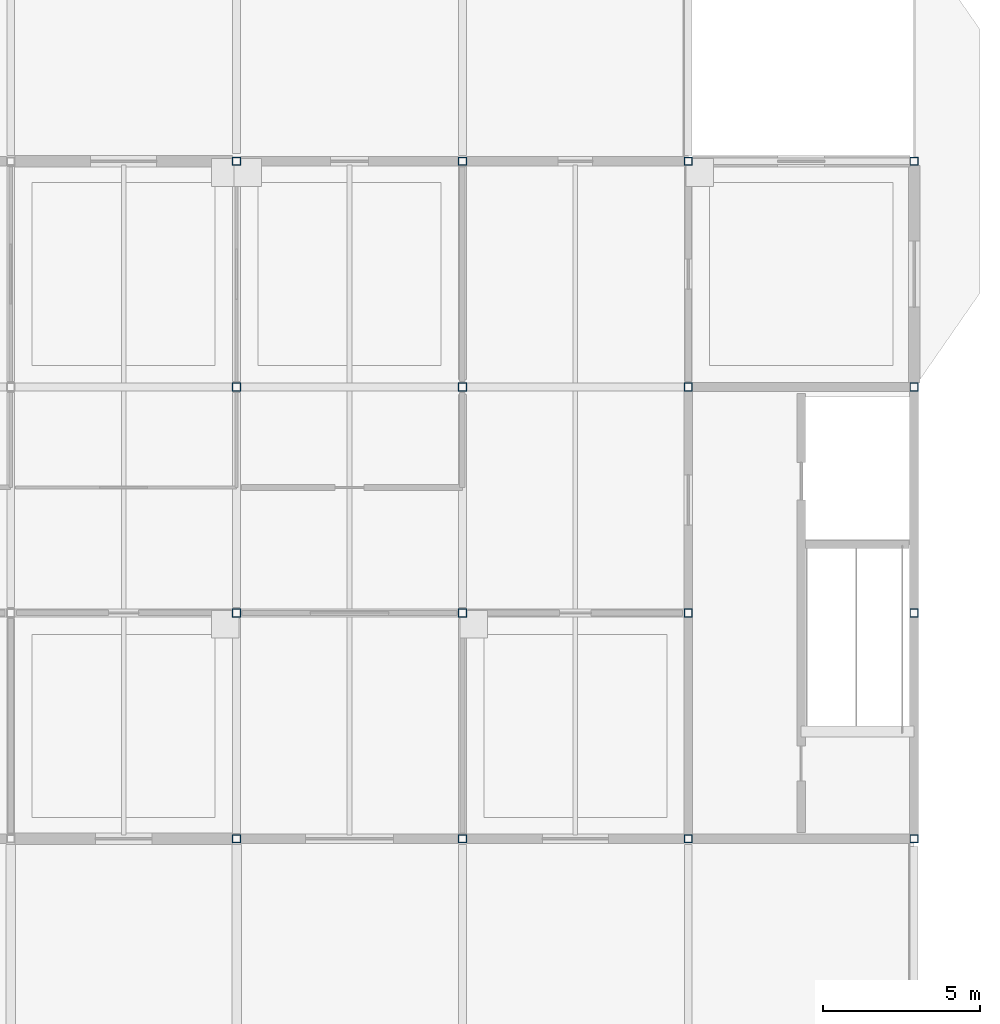
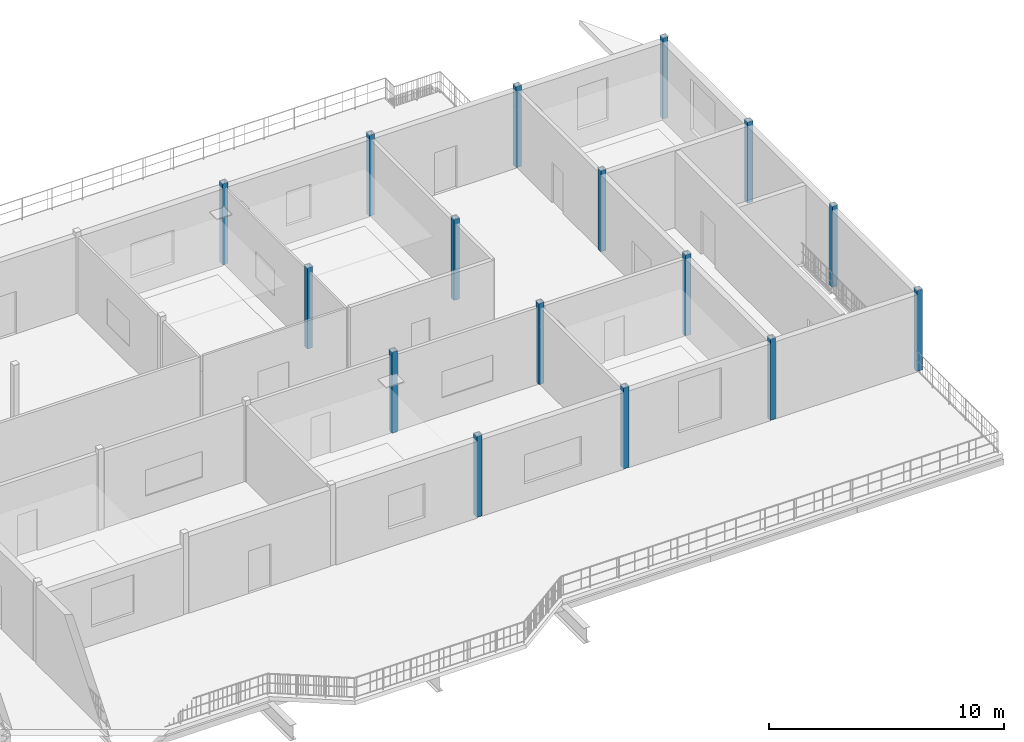
# One storey, part 3 of 18: 16 columns.
"""IFC4 building model written with IfcOpenShell, lengths in metres."""

from ifc_helpers import new_model, si_unit, direction, frame, origin, origin_2d, place, context, subcontext, project, spatial, hollow_rectangle, extrude, material, material_profile, profile_set, type_object, element, save


model = new_model("IFC4")

# Units and contexts
model_context = context("Model", 3, precision=1e-05, world=origin(), true_north=direction((0.0, 1.0)))
body_context = subcontext(model_context, "Body", "Model", "MODEL_VIEW")
ifc_project = project(units=[si_unit("LENGTHUNIT", "METRE"), si_unit("AREAUNIT", "SQUARE_METRE"), si_unit("VOLUMEUNIT", "CUBIC_METRE"), si_unit("PLANEANGLEUNIT", "RADIAN"), si_unit("MASSUNIT", "GRAM", prefix="KILO")], contexts=[model_context])

# Site, building, storey
site_placement = place(None, origin())
site = spatial("IfcSite", under=ifc_project, at=site_placement, CompositionType="ELEMENT")
building_placement = place(site_placement, origin())
building = spatial("IfcBuilding", under=site, at=building_placement, Name="Vesperath Aquatics Centre", CompositionType="ELEMENT")
storey_placement = place(building_placement, frame((0.0, 0.0, 23.39990234375)))
storey = spatial("IfcBuildingStorey", under=building, at=storey_placement, Name="L05", CompositionType="ELEMENT", Elevation=23.39990234375)

# Columns
ifc_material = material(Name="Steel Q355C", Category="steel")
ifc_material_profile = material_profile(ifc_material, hollow_rectangle(XDim=0.260009765625, YDim=0.260009765625, WallThickness=0.011962890625, at=origin_2d()), Name="SHS 260x260x12")
ifc_profile_set = profile_set([ifc_material_profile], Name="Steel Q355C")
column_type = type_object("IfcColumnType", Name="CL-C17", PredefinedType="COLUMN", material=ifc_profile_set)
for number, where, z_axis, x_axis, name in (
    (1, (151.199951171875, 7.199951171875, 0.0), (0.0, 0.0, 1.0), (1.0, 0.0, 0.0), "Column C17 L05 22/B"),
    (2, (151.199951171875, 14.39990234375, 0.0), (0.0, 0.0, 1.0), (1.0, 0.0, 0.0), "Column C17 L05 22/C"),
    (3, (151.199951171875, 21.60009765625, 0.0), (0.0, 0.0, 1.0), (1.0, 0.0, 0.0), "Column C17 L05 22/D"),
    (4, (151.199951171875, 28.800048828125, 0.0), (0.0, 0.0, 1.0), (1.0, 0.0, 0.0), "Column C17 L05 22/E"),
    (5, (158.39990234375, 7.199951171875, 0.0), (0.0, 0.0, 1.0), (1.0, 0.0, 0.0), "Column C17 L05 23/B"),
    (6, (158.39990234375, 14.39990234375, 0.0), (0.0, 0.0, 1.0), (1.0, 0.0, 0.0), "Column C17 L05 23/C"),
    (7, (158.39990234375, 21.60009765625, 0.0), (0.0, 0.0, 1.0), (1.0, 0.0, 0.0), "Column C17 L05 23/D"),
    (8, (158.39990234375, 28.800048828125, 0.0), (0.0, 0.0, 1.0), (1.0, 0.0, 0.0), "Column C17 L05 23/E"),
    (9, (165.60009765625, 7.199951171875, 0.0), (0.0, 0.0, 1.0), (1.0, 0.0, 0.0), "Column C17 L05 24/B"),
    (10, (165.60009765625, 14.39990234375, 0.0), (0.0, 0.0, 1.0), (1.0, 0.0, 0.0), "Column C17 L05 24/C"),
    (11, (165.60009765625, 21.60009765625, 0.0), (0.0, 0.0, 1.0), (1.0, 0.0, 0.0), "Column C17 L05 24/D"),
    (12, (165.60009765625, 28.800048828125, 0.0), (0.0, 0.0, 1.0), (1.0, 0.0, 0.0), "Column C17 L05 24/E"),
    (13, (172.800048828125, 7.199951171875, 0.0), (0.0, 0.0, 1.0), (1.0, 0.0, 0.0), "Column C17 L05 25/B"),
    (14, (172.800048828125, 14.39990234375, 0.0), (0.0, 0.0, 1.0), (1.0, 0.0, 0.0), "Column C17 L05 25/C"),
    (15, (172.800048828125, 21.60009765625, 0.0), (0.0, 0.0, 1.0), (1.0, 0.0, 0.0), "Column C17 L05 25/D"),
    (16, (172.800048828125, 28.800048828125, 0.0), (0.0, 0.0, 1.0), (1.0, 0.0, 0.0), "Column C17 L05 25/E"),
):
    element("IfcColumn", number, at=place(storey_placement, frame(where, z_axis=z_axis, x_axis=x_axis)), inside=storey, type_object=column_type, Name=name, PredefinedType="COLUMN", context=body_context, shape_type="SweptSolid", body=[
        extrude(hollow_rectangle(XDim=0.260009765625, YDim=0.260009765625, WallThickness=0.011962890625, at=origin_2d()), origin(), (0.0, 0.0, 1.0), 4.2001953125),
    ])

save(model, "model.ifc")
